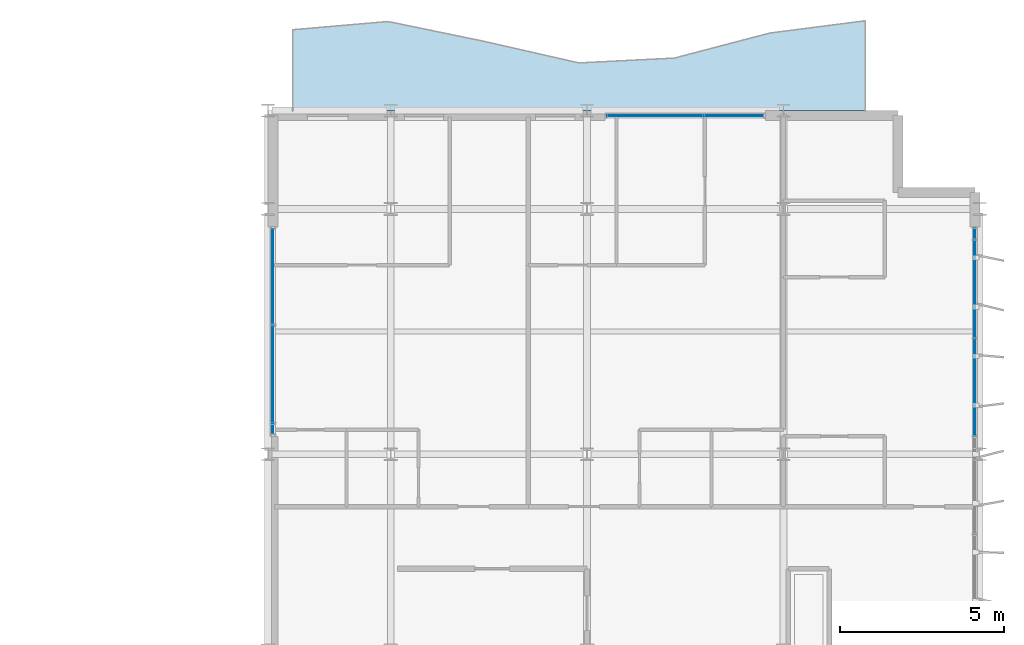
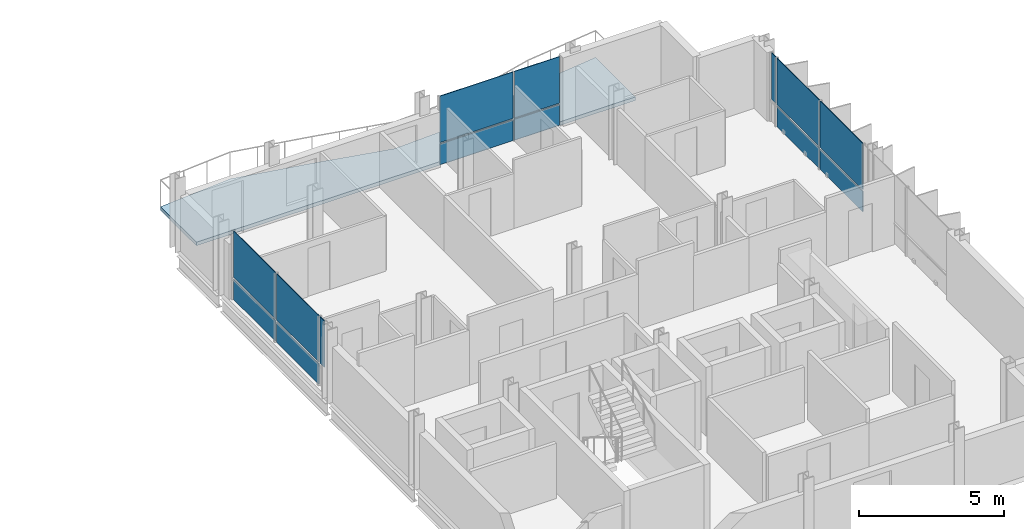
# One storey, part 18 of 29: 14 plates, 1 slab, 3 elements without a shape of their own.
"""IFC4 building model written with IfcOpenShell, lengths in metres."""

from ifc_helpers import new_model, si_unit, direction, frame, origin, origin_2d, place, context, subcontext, project, spatial, polyline, rectangle, outline, extrude, material, layer, layer_set, type_object, element, aggregate, save


model = new_model("IFC4")

# Units and contexts
model_context = context("Model", 3, precision=1e-05, world=origin(), true_north=direction((0.0, 1.0)))
body_context = subcontext(model_context, "Body", "Model", "MODEL_VIEW")
ifc_project = project(units=[si_unit("LENGTHUNIT", "METRE"), si_unit("AREAUNIT", "SQUARE_METRE"), si_unit("VOLUMEUNIT", "CUBIC_METRE"), si_unit("PLANEANGLEUNIT", "RADIAN"), si_unit("MASSUNIT", "GRAM", prefix="KILO")], contexts=[model_context])

# Site, building, storey
site_placement = place(None, origin())
site = spatial("IfcSite", under=ifc_project, at=site_placement, CompositionType="ELEMENT")
building_placement = place(site_placement, origin())
building = spatial("IfcBuilding", under=site, at=building_placement, Name="Brevholm Reach", CompositionType="ELEMENT")
storey_placement = place(building_placement, frame((0.0, 0.0, 198.699951171875)))
storey = spatial("IfcBuildingStorey", under=building, at=storey_placement, Name="L60", CompositionType="ELEMENT", Elevation=198.699951171875)

# Curtain wall, plates
ifc_material_1 = material(Name="Dark Anodised Aluminium 6063-T6 and Solar-Control Glass", Category="aluminium")
ifc_layer_1 = layer(ifc_material_1, 0.1650390625)
ifc_layer_set_1 = layer_set([ifc_layer_1], Name="Dark Anodised Aluminium 6063-T6 and Solar-Control Glass")
curtain_wall_type_1 = type_object("IfcCurtainWallType", Name="CW-04", PredefinedType="NOTDEFINED", material=ifc_layer_set_1)
curtain_wall_1_placement = place(storey_placement, origin())
curtain_wall_1 = element("IfcCurtainWall", 1, at=curtain_wall_1_placement, inside=storey, type_object=curtain_wall_type_1, Name="L60 Curtain Wall CW-04", PredefinedType="NOTDEFINED")
ifc_material_2 = material(Name="Dark Solar-Control Double-Glazed IGU Glass", Category="glass")
ifc_layer_2 = layer(ifc_material_2, 0.028076171875)
ifc_layer_set_2 = layer_set([ifc_layer_2], Name="Dark Solar-Control Double-Glazed IGU Glass")
plate_type = type_object("IfcPlateType", Name="CWP-GLZ-28", PredefinedType="CURTAIN_PANEL", material=ifc_layer_set_2)
plate_1_placement = place(storey_placement, frame((38.39990234375, 21.4326171875, 0.0), z_axis=(0.0, 0.0, 1.0), x_axis=(0.0, -1.0, 0.0)))
plate_1 = element("IfcPlate", 2, at=plate_1_placement, type_object=plate_type, Name="CP-01 Glazing Panel 1.1", PredefinedType="CURTAIN_PANEL", context=body_context, shape_type="SweptSolid", body=[
    extrude(rectangle(XDim=2.89501953125, YDim=0.028076171875, at=origin_2d()), origin(), (0.0, 0.0, 1.0), 0.864990234375),
])
plate_2_placement = place(storey_placement, frame((38.39990234375, 21.4326171875, 0.93505859375), z_axis=(0.0, 0.0, 1.0), x_axis=(0.0, -1.0, 0.0)))
plate_2 = element("IfcPlate", 3, at=plate_2_placement, type_object=plate_type, Name="CP-01 Glazing Panel 1.2", PredefinedType="CURTAIN_PANEL", context=body_context, shape_type="SweptSolid", body=[
    extrude(rectangle(XDim=2.89501953125, YDim=0.028076171875, at=origin_2d()), origin(), (0.0, 0.0, 1.0), 1.955078125),
])
plate_3_placement = place(storey_placement, frame((38.39990234375, 18.449951171875, 0.0), z_axis=(0.0, 0.0, 1.0), x_axis=(0.0, -1.0, 0.0)))
plate_3 = element("IfcPlate", 4, at=plate_3_placement, type_object=plate_type, Name="CP-01 Glazing Panel 2.1", PredefinedType="CURTAIN_PANEL", context=body_context, shape_type="SweptSolid", body=[
    extrude(rectangle(XDim=2.929931640625, YDim=0.028076171875, at=origin_2d()), origin(), (0.0, 0.0, 1.0), 0.864990234375),
])
plate_4_placement = place(storey_placement, frame((38.39990234375, 18.449951171875, 0.93505859375), z_axis=(0.0, 0.0, 1.0), x_axis=(0.0, -1.0, 0.0)))
plate_4 = element("IfcPlate", 5, at=plate_4_placement, type_object=plate_type, Name="CP-01 Glazing Panel 2.2", PredefinedType="CURTAIN_PANEL", context=body_context, shape_type="SweptSolid", body=[
    extrude(rectangle(XDim=2.929931640625, YDim=0.028076171875, at=origin_2d()), origin(), (0.0, 0.0, 1.0), 1.955078125),
])
plate_5_placement = place(storey_placement, frame((38.39990234375, 16.767578125, 0.93505859375), z_axis=(0.0, 0.0, 1.0), x_axis=(0.0, -1.0, 0.0)))
plate_5 = element("IfcPlate", 6, at=plate_5_placement, type_object=plate_type, Name="CP-01 Glazing Panel 3.2", PredefinedType="CURTAIN_PANEL", context=body_context, shape_type="SweptSolid", body=[
    extrude(rectangle(XDim=0.294921875, YDim=0.028076171875, at=origin_2d()), origin(), (0.0, 0.0, 1.0), 1.955078125),
])
aggregate(curtain_wall_1, [plate_1, plate_2, plate_3, plate_4, plate_5])

ifc_material_3 = material(Name="Dark Anodised Aluminium 6063-T6 and Solar-Control Glass", Category="aluminium")
ifc_layer_3 = layer(ifc_material_3, 0.14990234375)
ifc_layer_set_3 = layer_set([ifc_layer_3], Name="Dark Anodised Aluminium 6063-T6 and Solar-Control Glass")
curtain_wall_type_2 = type_object("IfcCurtainWallType", Name="CW-01", PredefinedType="NOTDEFINED", material=ifc_layer_set_3)
curtain_wall_2_placement = place(storey_placement, origin())
curtain_wall_2 = element("IfcCurtainWall", 7, at=curtain_wall_2_placement, inside=storey, type_object=curtain_wall_type_2, Name="L60 Curtain Wall CW-01", PredefinedType="NOTDEFINED")
plate_6_placement = place(storey_placement, frame((59.85009765625, 18.050048828125, 0.0), z_axis=(0.0, 0.0, 1.0), x_axis=(0.0, 1.0, 0.0)))
plate_6 = element("IfcPlate", 8, at=plate_6_placement, type_object=plate_type, Name="CP-01 Glazing Panel 3.1", PredefinedType="CURTAIN_PANEL", context=body_context, shape_type="SweptSolid", body=[
    extrude(rectangle(XDim=2.93505859375, YDim=0.028076171875, at=origin_2d()), origin(), (0.0, 0.0, 1.0), 0.867431640625),
])
plate_7_placement = place(storey_placement, frame((59.85009765625, 18.050048828125, 0.9326171875), z_axis=(0.0, 0.0, 1.0), x_axis=(0.0, 1.0, 0.0)))
plate_7 = element("IfcPlate", 9, at=plate_7_placement, type_object=plate_type, Name="CP-01 Glazing Panel 3.2", PredefinedType="CURTAIN_PANEL", context=body_context, shape_type="SweptSolid", body=[
    extrude(rectangle(XDim=2.93505859375, YDim=0.028076171875, at=origin_2d()), origin(), (0.0, 0.0, 1.0), 1.95751953125),
])
plate_8_placement = place(storey_placement, frame((59.85009765625, 21.050048828125, 0.0), z_axis=(0.0, 0.0, 1.0), x_axis=(0.0, 1.0, 0.0)))
plate_8 = element("IfcPlate", 10, at=plate_8_placement, type_object=plate_type, Name="CP-01 Glazing Panel 4.1", PredefinedType="CURTAIN_PANEL", context=body_context, shape_type="SweptSolid", body=[
    extrude(rectangle(XDim=2.93505859375, YDim=0.028076171875, at=origin_2d()), origin(), (0.0, 0.0, 1.0), 0.867431640625),
])
plate_9_placement = place(storey_placement, frame((59.85009765625, 21.050048828125, 0.9326171875), z_axis=(0.0, 0.0, 1.0), x_axis=(0.0, 1.0, 0.0)))
plate_9 = element("IfcPlate", 11, at=plate_9_placement, type_object=plate_type, Name="CP-01 Glazing Panel 4.2", PredefinedType="CURTAIN_PANEL", context=body_context, shape_type="SweptSolid", body=[
    extrude(rectangle(XDim=2.93505859375, YDim=0.028076171875, at=origin_2d()), origin(), (0.0, 0.0, 1.0), 1.95751953125),
])
plate_10_placement = place(storey_placement, frame((59.85009765625, 22.733642578125, 0.9326171875), z_axis=(0.0, 0.0, 1.0), x_axis=(0.0, 1.0, 0.0)))
plate_10 = element("IfcPlate", 12, at=plate_10_placement, type_object=plate_type, Name="CP-01 Glazing Panel 5.2", PredefinedType="CURTAIN_PANEL", context=body_context, shape_type="SweptSolid", body=[
    extrude(rectangle(XDim=0.302490234375, YDim=0.028076171875, at=origin_2d()), origin(), (0.0, 0.0, 1.0), 1.95751953125),
])
aggregate(curtain_wall_2, [plate_6, plate_7, plate_8, plate_9, plate_10])

curtain_wall_3_placement = place(storey_placement, origin())
curtain_wall_3 = element("IfcCurtainWall", 13, at=curtain_wall_3_placement, inside=storey, type_object=curtain_wall_type_2, Name="L60 Curtain Wall CW-01", PredefinedType="NOTDEFINED")
plate_11_placement = place(storey_placement, frame((50.066162109375, 26.35009765625, 0.0), z_axis=(0.0, 0.0, 1.0), x_axis=(1.0, 0.0, 0.0)))
plate_11 = element("IfcPlate", 14, at=plate_11_placement, type_object=plate_type, Name="CP-01 Glazing Panel 1.1", PredefinedType="CURTAIN_PANEL", context=body_context, shape_type="SweptSolid", body=[
    extrude(rectangle(XDim=2.902587890625, YDim=0.028076171875, at=origin_2d()), origin(), (0.0, 0.0, 1.0), 0.867431640625),
])
plate_12_placement = place(storey_placement, frame((50.066162109375, 26.35009765625, 0.9326171875), z_axis=(0.0, 0.0, 1.0), x_axis=(1.0, 0.0, 0.0)))
plate_12 = element("IfcPlate", 15, at=plate_12_placement, type_object=plate_type, Name="CP-01 Glazing Panel 1.2", PredefinedType="CURTAIN_PANEL", context=body_context, shape_type="SweptSolid", body=[
    extrude(rectangle(XDim=2.902587890625, YDim=0.028076171875, at=origin_2d()), origin(), (0.0, 0.0, 1.0), 1.95751953125),
])
plate_13_placement = place(storey_placement, frame((52.483642578125, 26.35009765625, 0.0), z_axis=(0.0, 0.0, 1.0), x_axis=(1.0, 0.0, 0.0)))
plate_13 = element("IfcPlate", 16, at=plate_13_placement, type_object=plate_type, Name="CP-01 Glazing Panel 2.1", PredefinedType="CURTAIN_PANEL", context=body_context, shape_type="SweptSolid", body=[
    extrude(rectangle(XDim=1.802490234375, YDim=0.028076171875, at=origin_2d()), origin(), (0.0, 0.0, 1.0), 0.867431640625),
])
plate_14_placement = place(storey_placement, frame((52.483642578125, 26.35009765625, 0.9326171875), z_axis=(0.0, 0.0, 1.0), x_axis=(1.0, 0.0, 0.0)))
plate_14 = element("IfcPlate", 17, at=plate_14_placement, type_object=plate_type, Name="CP-01 Glazing Panel 2.2", PredefinedType="CURTAIN_PANEL", context=body_context, shape_type="SweptSolid", body=[
    extrude(rectangle(XDim=1.802490234375, YDim=0.028076171875, at=origin_2d()), origin(), (0.0, 0.0, 1.0), 1.95751953125),
])
aggregate(curtain_wall_3, [plate_11, plate_12, plate_13, plate_14])

# Slab
ifc_material_4 = material(Name="Precast Concrete C45/55", Category="concrete")
ifc_layer_4 = layer(ifc_material_4, 0.14990234375)
ifc_layer_set_4 = layer_set([ifc_layer_4], Name="Precast Concrete C45/55")
slab_type = type_object("IfcSlabType", Name="SLB-BAL-150", PredefinedType="FLOOR", material=ifc_layer_set_4)
slab_placement = place(storey_placement, frame((0.0, 0.0, -0.14990234375)))
element("IfcSlab", 18, at=slab_placement, inside=storey, type_object=slab_type, Name="L60 Rippling External Balcony NE", PredefinedType="FLOOR", context=body_context, shape_type="SweptSolid", body=[
    extrude(outline(polyline([(39.0, 26.5), (56.5, 26.5), (56.5, 29.246337890625), (53.583251953125, 28.870849609375), (50.666748046875, 28.106201171875), (47.75, 27.95849609375), (44.833251953125, 28.6220703125), (41.916748046875, 29.223876953125), (39.0, 28.9716796875), (39.0, 26.5)])), origin(), (0.0, 0.0, 1.0), 0.14990234375),
])

save(model, "model.ifc")
